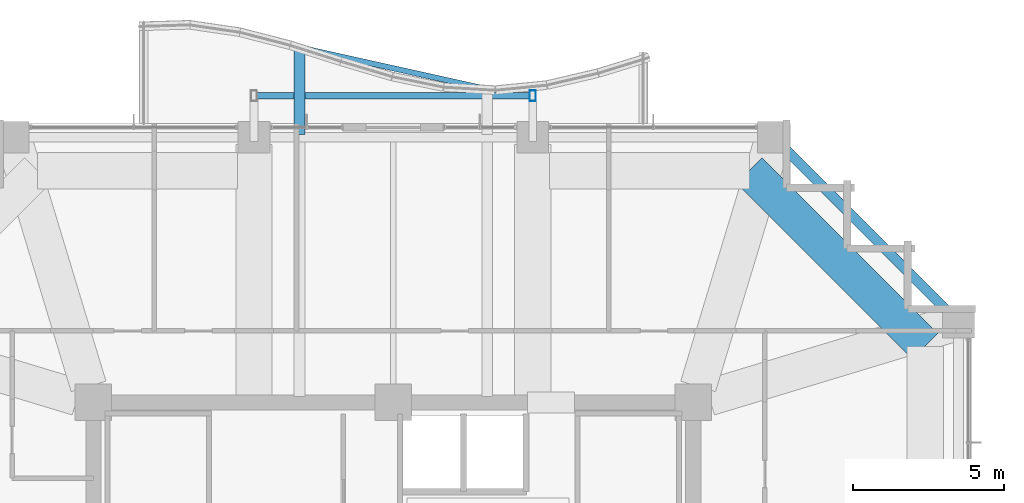
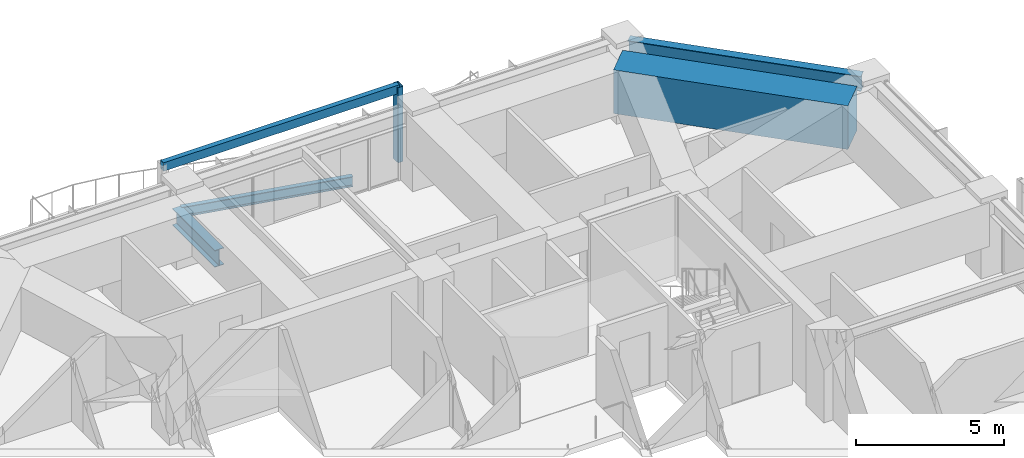
# One storey, part 18 of 28: 4 beams, 2 members.
"""IFC4 building model written with IfcOpenShell, lengths in metres."""

from ifc_helpers import new_model, si_unit, direction, frame, origin, origin_2d, place, context, subcontext, project, spatial, rectangle, hollow_rectangle, i_section, extrude, material, material_profile, profile_set, type_object, element, save


model = new_model("IFC4")

# Units and contexts
model_context = context("Model", 3, precision=1e-05, world=origin(), true_north=direction((0.0, 1.0)))
body_context = subcontext(model_context, "Body", "Model", "MODEL_VIEW")
ifc_project = project(units=[si_unit("LENGTHUNIT", "METRE"), si_unit("AREAUNIT", "SQUARE_METRE"), si_unit("VOLUMEUNIT", "CUBIC_METRE"), si_unit("PLANEANGLEUNIT", "RADIAN"), si_unit("MASSUNIT", "GRAM", prefix="KILO")], contexts=[model_context])

# Site, building, storey
site_placement = place(None, origin())
site = spatial("IfcSite", under=ifc_project, at=site_placement, CompositionType="ELEMENT")
building_placement = place(site_placement, origin())
building = spatial("IfcBuilding", under=site, at=building_placement, Name="Kolvaren Belvedere", CompositionType="ELEMENT")
storey_placement = place(building_placement, frame((0.0, 0.0, 125.0)))
storey = spatial("IfcBuildingStorey", under=building, at=storey_placement, Name="L36", CompositionType="ELEMENT", Elevation=125.0)

# Beams
ifc_material_1 = material(Name="Structural steel ASTM A992 Grade 50", Category="steel")
ifc_material_profile_1 = material_profile(ifc_material_1, i_section(OverallWidth=0.35498046875, OverallDepth=0.696044921875, WebThickness=0.015380859375, FlangeThickness=0.02490234375, FilletRadius=0.02197265625, at=origin_2d()), Name="W27X146")
ifc_profile_set_1 = profile_set([ifc_material_profile_1], Name="Structural steel ASTM A992 Grade 50")
beam_type_1 = type_object("IfcBeamType", Name="BM-CANT-BAL", PredefinedType="BEAM", material=ifc_profile_set_1)
beam_1_placement = place(storey_placement, frame((-3.10009765625, 18.7451171875, -0.568115234375), z_axis=(0.0, 1.0, 0.0), x_axis=(-1.0, 0.0, 0.0)))
element("IfcBeam", 1, at=beam_1_placement, inside=storey, type_object=beam_type_1, Name="L36 Planted Balcony Cantilever BAL-N-1", PredefinedType="BEAM", context=body_context, shape_type="SweptSolid", body=[
    extrude(i_section(OverallWidth=0.35498046875, OverallDepth=0.696044921875, WebThickness=0.015380859375, FlangeThickness=0.02490234375, FilletRadius=0.02197265625, at=origin_2d()), origin(), (0.0, 0.0, 1.0), 2.869873046875),
])
ifc_material_2 = material(Name="Structural steel ASTM A992 Grade 50", Category="steel")
ifc_material_profile_2 = material_profile(ifc_material_2, i_section(OverallWidth=0.180908203125, OverallDepth=0.4169921875, WebThickness=0.010986328125, FlangeThickness=0.018310546875, FilletRadius=0.013916015625, at=origin_2d()), Name="W16X57")
ifc_profile_set_2 = profile_set([ifc_material_profile_2], Name="Structural steel ASTM A992 Grade 50")
beam_type_2 = type_object("IfcBeamType", Name="BM-EDGE-W16X57", PredefinedType="BEAM", material=ifc_profile_set_2)
beam_2_placement = place(storey_placement, frame((-2.96337890625, 21.584716796875, -0.428466796875), z_axis=(0.97620125078, -0.216866590272, 0.0), x_axis=(0.216866590272, 0.97620125078, 0.0)))
element("IfcBeam", 2, at=beam_2_placement, inside=storey, type_object=beam_type_2, Name="L36 Balcony Tip Header Beam BAL-N", PredefinedType="BEAM", context=body_context, shape_type="SweptSolid", body=[
    extrude(i_section(OverallWidth=0.180908203125, OverallDepth=0.4169921875, WebThickness=0.010986328125, FlangeThickness=0.018310546875, FilletRadius=0.013916015625, at=origin_2d()), origin(), (0.0, 0.0, 1.0), 6.0712890625),
])
ifc_material_3 = material(Name="Structural steel ASTM A992 Grade 50", Category="steel")
ifc_material_profile_3 = material_profile(ifc_material_3, i_section(OverallWidth=0.324951171875, OverallDepth=0.615966796875, WebThickness=0.013916015625, FlangeThickness=0.021484375, FilletRadius=0.02001953125, at=origin_2d()), Name="W24X117")
ifc_profile_set_3 = profile_set([ifc_material_profile_3], Name="Structural steel ASTM A992 Grade 50")
beam_type_3 = type_object("IfcBeamType", Name="BM-SPAN-W24X117", PredefinedType="SPANDREL", material=ifc_profile_set_3)
beam_3_placement = place(storey_placement, frame((18.48291015625, 12.717041015625, 2.7919921875), z_axis=(-0.707106781187, 0.707106781187, 0.0), x_axis=(-0.707106781187, -0.707106781187, 0.0)))
element("IfcBeam", 3, at=beam_3_placement, inside=storey, type_object=beam_type_3, Name="L36 Perimeter Spandrel E4-N4", PredefinedType="SPANDREL", context=body_context, shape_type="SweptSolid", body=[
    extrude(i_section(OverallWidth=0.324951171875, OverallDepth=0.615966796875, WebThickness=0.013916015625, FlangeThickness=0.021484375, FilletRadius=0.02001953125, at=origin_2d()), origin(), (0.0, 0.0, 1.0), 8.154052734375),
])
ifc_material_4 = material(Name="Concrete C50/60", Category="concrete")
ifc_material_profile_4 = material_profile(ifc_material_4, rectangle(XDim=1.199951171875, YDim=1.800048828125, at=origin_2d()), Name="RC 1200X1800")
ifc_profile_set_4 = profile_set([ifc_material_profile_4], Name="Concrete C50/60")
beam_type_4 = type_object("IfcBeamType", Name="BM-TG-1800", PredefinedType="BEAM", material=ifc_profile_set_4)
beam_4_placement = place(storey_placement, frame((17.550048828125, 11.75, 2.199951171875), z_axis=(-0.707106781187, 0.707106781187, 0.0), x_axis=(-0.707106781187, -0.707106781187, 0.0)))
element("IfcBeam", 4, at=beam_4_placement, inside=storey, type_object=beam_type_4, Name="L36 Step Transfer Ring Girder E4-N4", PredefinedType="BEAM", context=body_context, shape_type="SweptSolid", body=[
    extrude(rectangle(XDim=1.199951171875, YDim=1.800048828125, at=origin_2d()), origin(), (0.0, 0.0, 1.0), 8.202392578125),
])

# Members
ifc_material_5 = material(Name="Anodised pale-metal aluminium AA 6063-T6", Category="aluminium")
ifc_material_profile_5 = material_profile(ifc_material_5, hollow_rectangle(XDim=0.199951171875, YDim=0.35009765625, WallThickness=0.007568359375, at=origin_2d()), Name="ALU-PF-350X200")
ifc_profile_set_5 = profile_set([ifc_material_profile_5], Name="Anodised pale-metal aluminium AA 6063-T6")
member_type = type_object("IfcMemberType", Name="PF-FRAME-350", PredefinedType="USERDEFINED", material=ifc_profile_set_5)
member_1_placement = place(storey_placement, frame((4.60009765625, 20.02001953125, 0.0), z_axis=(0.0, 0.0, 1.0), x_axis=(1.0, 0.0, 0.0)))
element("IfcMember", 5, at=member_1_placement, inside=storey, type_object=member_type, Name="L36 Outboard Picture-Frame Vertical N2", ObjectType="PICTURE FRAME FIN", PredefinedType="USERDEFINED", context=body_context, shape_type="SweptSolid", body=[
    extrude(hollow_rectangle(XDim=0.199951171875, YDim=0.35009765625, WallThickness=0.007568359375, at=origin_2d()), origin(), (0.0, 0.0, 1.0), 3.10009765625),
])
member_2_placement = place(storey_placement, frame((-4.60009765625, 20.02001953125, 2.969970703125), z_axis=(1.0, 0.0, 0.0), x_axis=(0.0, 1.0, 0.0)))
element("IfcMember", 6, at=member_2_placement, inside=storey, type_object=member_type, Name="L36 Outboard Picture-Frame Head N", ObjectType="PICTURE FRAME FIN", PredefinedType="USERDEFINED", context=body_context, shape_type="SweptSolid", body=[
    extrude(hollow_rectangle(XDim=0.199951171875, YDim=0.35009765625, WallThickness=0.007568359375, at=origin_2d()), origin(), (0.0, 0.0, 1.0), 9.2001953125),
])

save(model, "model.ifc")
